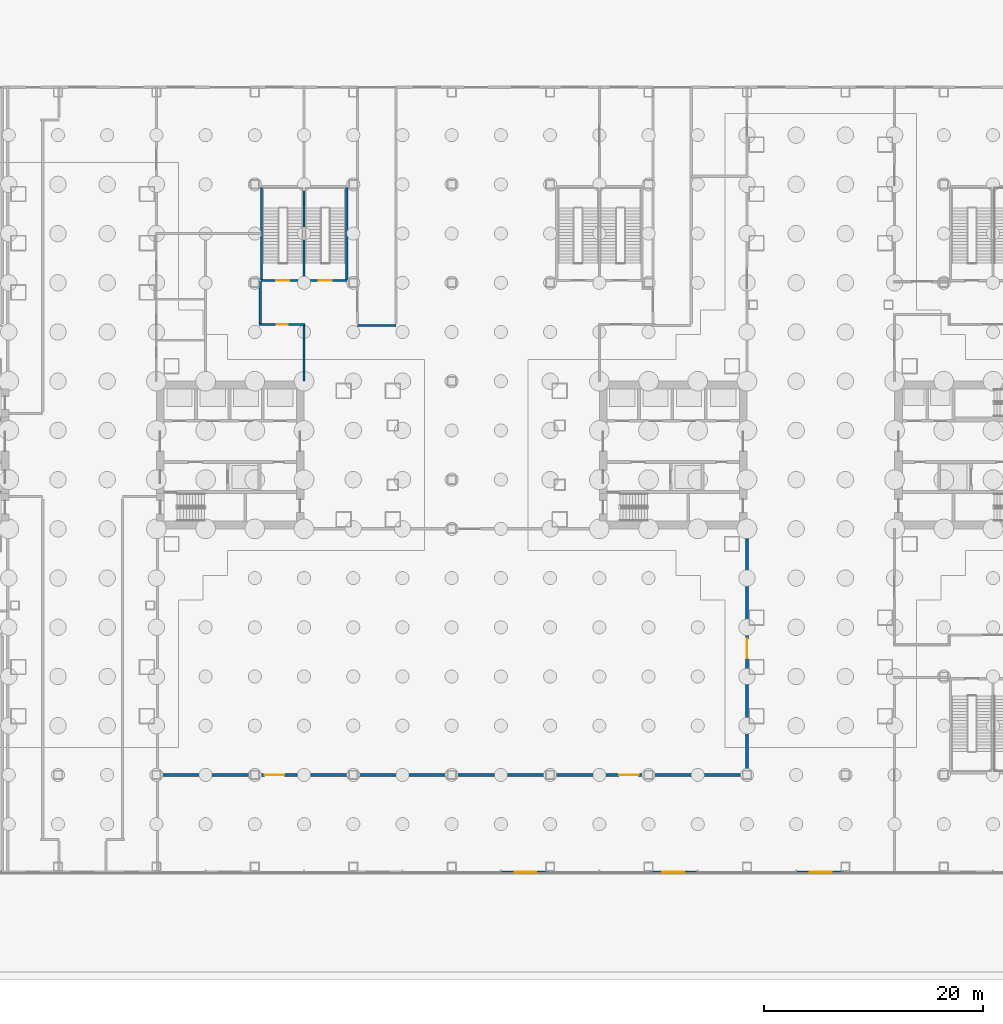
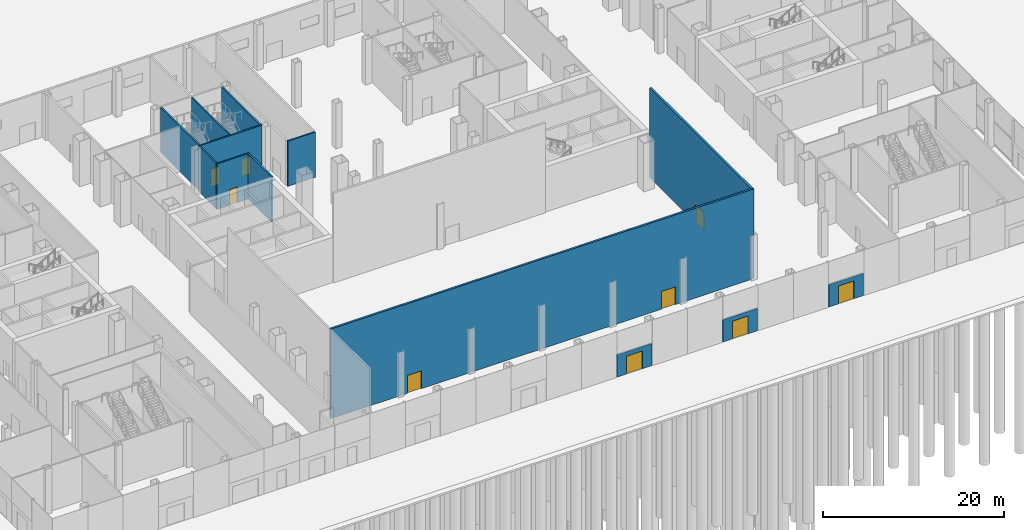
# One storey, part 20 of 37: 13 walls, 9 doors, 9 openings.
"""IFC4 building model written with IfcOpenShell, lengths in metres."""

import ifcopenshell
import ifcopenshell.guid

model = None  # the IFC model being written
_history = None  # IfcOwnerHistory: only IFC2X3 demands one
_inside = {}  # id of a spatial element -> (the spatial element, [elements in it])
_under = {}  # id of a project, library or spatial element -> (it, [spatial elements below it])
_declared = {}  # id of a project -> (the project, [libraries it declares])
_typed = {}  # id of a type object -> (the type object, [elements of that type])
_made_of = {}  # id of a material, layer set ... -> (it, [elements and type objects made of it])


def new_model(schema):
    """Start an empty IFC model of exactly this schema.

    Asked for "IFC4X3", IfcOpenShell would pick the latest addendum, in which some entities
    have other attributes; the version numbers below select the first issue.
    IFC2X3 requires an IfcOwnerHistory on every rooted entity: one is made here for all.
    """
    global model, _history
    if schema == "IFC4X3":
        model = ifcopenshell.file(schema_version=(4, 3, 0, 0))
    else:
        model = ifcopenshell.file(schema=schema)
    _inside.clear()
    _under.clear()
    _declared.clear()
    _typed.clear()
    _made_of.clear()
    _history = None
    if model.schema == "IFC2X3":
        org = make("IfcOrganization", Name="unknown")
        user = make(
            "IfcPersonAndOrganization",
            ThePerson=make("IfcPerson", FamilyName="unknown"),
            TheOrganization=org,
        )
        app = make(
            "IfcApplication",
            ApplicationDeveloper=org,
            Version="unknown",
            ApplicationFullName="unknown",
            ApplicationIdentifier="unknown",
        )
        _history = make(
            "IfcOwnerHistory",
            OwningUser=user,
            OwningApplication=app,
            ChangeAction="ADDED",
            CreationDate=0,
        )
    return model


def make(cls, **values):
    """One entity of the class cls with the attributes given. An attribute that is None is left unset."""
    return model.create_entity(
        cls, **{name: value for name, value in values.items() if value is not None}
    )


def rooted(cls, **values):
    """An entity with a GlobalId (a new one), such as an element, a storey or a relation."""
    return make(cls, GlobalId=ifcopenshell.guid.new(), OwnerHistory=_history, **values)


def si_unit(unit_type, name, prefix=None):
    """IfcSIUnit, for example si_unit("LENGTHUNIT", "METRE", prefix="MILLI")."""
    return make("IfcSIUnit", UnitType=unit_type, Prefix=prefix, Name=name)


def assignment(units):
    """IfcUnitAssignment: the units of a project."""
    return None if units is None else make("IfcUnitAssignment", Units=units)


def point(xyz):
    """IfcCartesianPoint."""
    return None if xyz is None else make("IfcCartesianPoint", Coordinates=xyz)


def direction(xyz):
    """IfcDirection."""
    return None if xyz is None else make("IfcDirection", DirectionRatios=xyz)


def frame(location, z_axis=None, x_axis=None):
    """IfcAxis2Placement3D, a coordinate frame: its origin and axes. An axis left out is left unset."""
    return make(
        "IfcAxis2Placement3D",
        Location=point(location),
        Axis=direction(z_axis),
        RefDirection=direction(x_axis),
    )


def frame_2d(location, x_axis=None):
    """IfcAxis2Placement2D, a coordinate frame in the plane: its origin and x axis."""
    return make(
        "IfcAxis2Placement2D", Location=point(location), RefDirection=direction(x_axis)
    )


def origin():
    """The frame at (0, 0, 0) with its axes left unset."""
    return frame((0.0, 0.0, 0.0))


def place(relative_to, where):
    """IfcLocalPlacement: puts the frame where relative to a parent placement (None: the world)."""
    return make(
        "IfcLocalPlacement", PlacementRelTo=relative_to, RelativePlacement=where
    )


def context(
    kind, dimensions, precision=None, world=None, true_north=None, identifier=None
):
    """IfcGeometricRepresentationContext, for example the 3D "Model" context."""
    return make(
        "IfcGeometricRepresentationContext",
        ContextIdentifier=identifier,
        ContextType=kind,
        CoordinateSpaceDimension=dimensions,
        Precision=precision,
        WorldCoordinateSystem=world,
        TrueNorth=true_north,
    )


def subcontext(parent, identifier, kind, view, scale=None):
    """IfcGeometricRepresentationSubContext, for example "Body" below "Model"."""
    return make(
        "IfcGeometricRepresentationSubContext",
        ContextIdentifier=identifier,
        ContextType=kind,
        ParentContext=parent,
        TargetScale=scale,
        TargetView=view,
    )


def project(units=None, contexts=None):
    """IfcProject with its units and contexts."""
    return rooted(
        "IfcProject",
        Name="project",
        RepresentationContexts=contexts,
        UnitsInContext=assignment(units),
    )


def spatial(cls, under=None, at=None, **own):
    """A site, building, storey or space (cls), placed at a placement, below another one or the project."""
    s = rooted(cls, ObjectPlacement=at, **own)
    if under is not None:
        _under.setdefault(under.id(), (under, []))[1].append(s)
    return s


def profile(cls, at=None, kind="AREA", **sizes):
    """A parametric profile (cls). Its sizes go by their IFC names, for example OverallWidth=200.0."""
    return make(cls, ProfileType=kind, Position=at, **sizes)


def rectangle(**sizes):
    """IfcRectangleProfileDef."""
    return profile("IfcRectangleProfileDef", **sizes)


def extrude(swept, where, along, depth):
    """IfcExtrudedAreaSolid: the profile swept, set in the frame where, extruded along a direction by depth."""
    return make(
        "IfcExtrudedAreaSolid",
        SweptArea=swept,
        Position=where,
        ExtrudedDirection=direction(along),
        Depth=depth,
    )


def shape(context_of_items, identifier, shape_type, items):
    """IfcShapeRepresentation: the items that make up one representation, for example the "Body"."""
    return make(
        "IfcShapeRepresentation",
        ContextOfItems=context_of_items,
        RepresentationIdentifier=identifier,
        RepresentationType=shape_type,
        Items=items,
    )


def material(Name=None, Category=None):
    """IfcMaterial."""
    return make("IfcMaterial", Name=Name, Category=Category)


def layer(
    of_material, thickness, ventilated=None, Name=None, Category=None, Priority=None
):
    """IfcMaterialLayer: one layer of a wall or slab, of a material (None: an air gap)."""
    return make(
        "IfcMaterialLayer",
        Material=of_material,
        LayerThickness=thickness,
        IsVentilated=ventilated,
        Name=Name,
        Category=Category,
        Priority=Priority,
    )


def layer_set(layers, Name=None):
    """IfcMaterialLayerSet."""
    return make("IfcMaterialLayerSet", MaterialLayers=layers, LayerSetName=Name)


def made_of(thing, what):
    """Note that an element or type object is made of a material, layer set ...; save() writes the relation."""
    if what is not None:
        _made_of.setdefault(what.id(), (what, []))[1].append(thing)
    return thing


def type_object(cls, material=None, **own):
    """A type object (cls), such as IfcWallType, which elements share."""
    return made_of(rooted(cls, **own), material)


def element(
    cls,
    number,
    at=None,
    inside=None,
    cuts=None,
    type_object=None,
    material=None,
    context=None,
    identifier="Body",
    shape_type=None,
    held_by="IfcProductDefinitionShape",
    body=None,
    shapes=None,
    **own,
):
    """One element of the class cls, such as IfcWall. Its Tag is "e" and its number.

    at: its placement. inside: the storey or other place that contains it. cuts: it is an
    opening in that element (IfcRelVoidsElement). A single representation is given by context,
    identifier, shape_type and body (its items); several are given by shapes. held_by: the class
    of the entity that holds the representations. save() writes the other relations.
    """
    e = rooted(cls, Tag="e%d" % number, ObjectPlacement=at, **own)
    if body is not None:
        shapes = [shape(context, identifier, shape_type, body)]
    if shapes is not None:
        e.Representation = make(held_by, Representations=shapes)
    if inside is not None:
        _inside.setdefault(inside.id(), (inside, []))[1].append(e)
    if cuts is not None:
        rooted(
            "IfcRelVoidsElement", RelatingBuildingElement=cuts, RelatedOpeningElement=e
        )
    if type_object is not None:
        _typed.setdefault(type_object.id(), (type_object, []))[1].append(e)
    return made_of(e, material)


def fill(opening, filler):
    """IfcRelFillsElement: the door or window that sits in an opening."""
    return rooted(
        "IfcRelFillsElement",
        RelatingOpeningElement=opening,
        RelatedBuildingElement=filler,
    )


def aggregate(whole, parts):
    """IfcRelAggregates: a whole, such as a stair, and the parts it consists of."""
    return rooted("IfcRelAggregates", RelatingObject=whole, RelatedObjects=parts)


def save(model, path):
    """Write the relations noted so far, then the file.

    IfcRelAggregates (storeys below a building ...), IfcRelContainedInSpatialStructure (elements
    in a storey), IfcRelDefinesByType, IfcRelAssociatesMaterial and IfcRelDeclares: one each for
    every whole, place, type object, material and project.
    """
    for whole, parts in _under.values():
        aggregate(whole, parts)
    for where, things in _inside.values():
        rooted(
            "IfcRelContainedInSpatialStructure",
            RelatedElements=things,
            RelatingStructure=where,
        )
    for kind, things in _typed.values():
        rooted("IfcRelDefinesByType", RelatedObjects=things, RelatingType=kind)
    for what, things in _made_of.values():
        rooted("IfcRelAssociatesMaterial", RelatedObjects=things, RelatingMaterial=what)
    for by, libraries in _declared.values():
        rooted("IfcRelDeclares", RelatingContext=by, RelatedDefinitions=libraries)
    model.write(path)


model = new_model("IFC4")

# Units and contexts
model_context = context("Model", 3, precision=1e-05, world=origin(), true_north=direction((0.0, 1.0)))
body_context = subcontext(model_context, "Body", "Model", "MODEL_VIEW")
ifc_project = project(units=[si_unit("LENGTHUNIT", "METRE"), si_unit("AREAUNIT", "SQUARE_METRE"), si_unit("VOLUMEUNIT", "CUBIC_METRE"), si_unit("PLANEANGLEUNIT", "RADIAN"), si_unit("MASSUNIT", "GRAM", prefix="KILO")], contexts=[model_context])

# Site, building, storey
site_placement = place(None, origin())
site = spatial("IfcSite", under=ifc_project, at=site_placement, CompositionType="ELEMENT")
building_placement = place(site_placement, origin())
building = spatial("IfcBuilding", under=site, at=building_placement, Name="Shamsa Quay Exchange Towers", CompositionType="ELEMENT")
storey_placement = place(building_placement, origin())
storey = spatial("IfcBuildingStorey", under=building, at=storey_placement, Name="L00", CompositionType="ELEMENT", Elevation=0.0)

# Wall, opening, door
ifc_material_1 = material(Name="Aluminium EN AW-6063 T6, black anodised, with black enamelled glass infill", Category="aluminium")
ifc_layer_1 = layer(ifc_material_1, 0.199951171875)
ifc_layer_set_1 = layer_set([ifc_layer_1], Name="ENTRANCE DOOR BAY WALL 200")
wall_type_1 = type_object("IfcWallType", Name="ENTRANCE DOOR BAY WALL 200", PredefinedType="SOLIDWALL", material=ifc_layer_set_1)
wall_1_placement = place(storey_placement, frame((35.9599609375, -38.14990234375, 0.0), z_axis=(0.0, 0.0, 1.0), x_axis=(-1.0, 0.0, 0.0)))
wall_1 = element("IfcWall", 1, at=wall_1_placement, inside=storey, type_object=wall_type_1, Name="Entrance bay Entrance 4", PredefinedType="SOLIDWALL", context=body_context, shape_type="SweptSolid", body=[
    extrude(rectangle(XDim=4.419921875, YDim=0.199951171875, at=frame_2d((2.2099609375, 0.0))), origin(), (0.0, 0.0, 1.0), 3.0),
])
opening_1_placement = place(wall_1_placement, frame((1.2099609375, 0.0, 0.0)))
opening_1 = element("IfcOpeningElement", 2, at=opening_1_placement, cuts=wall_1, Name="Opening XD026", PredefinedType="OPENING", context=body_context, shape_type="SweptSolid", body=[
    extrude(rectangle(XDim=2.0, YDim=2.39990234375, at=frame_2d((1.0, 1.199951171875))), frame((0.0, 0.10986328125, 0.0), z_axis=(0.0, -1.0, 0.0), x_axis=(1.0, 0.0, 0.0)), (0.0, 0.0, 1.0), 0.219970703125),
])
ifc_material_2 = material(Name="Aluminium EN AW-6063 T6, black anodised, with laminated glass leaves", Category="aluminium")
door_type_1 = type_object("IfcDoorType", Name="ENTRANCE DOOR 2000x2400", OperationType="DOUBLE_DOOR_SINGLE_SWING", PredefinedType="DOOR", material=ifc_material_2)
door_1_placement = place(opening_1_placement, origin())
door_1 = element("IfcDoor", 3, at=door_1_placement, inside=storey, type_object=door_type_1, Name="Entrance door Entrance 4", OperationType="DOUBLE_DOOR_SINGLE_SWING", OverallHeight=2.39990234375, OverallWidth=2.0, PredefinedType="DOOR", context=body_context, shape_type="SweptSolid", body=[
    extrude(rectangle(XDim=2.0, YDim=2.39990234375, at=frame_2d((1.0, 1.199951171875))), frame((0.0, 0.02490234375, 0.0), z_axis=(0.0, -1.0, 0.0), x_axis=(1.0, 0.0, 0.0)), (0.0, 0.0, 1.0), 0.050048828125),
])
fill(opening_1, door_1)

wall_2_placement = place(storey_placement, frame((8.9599609375, -38.14990234375, 0.0), z_axis=(0.0, 0.0, 1.0), x_axis=(-1.0, 0.0, 0.0)))
wall_2 = element("IfcWall", 4, at=wall_2_placement, inside=storey, type_object=wall_type_1, Name="Entrance bay Entrance 7", PredefinedType="SOLIDWALL", context=body_context, shape_type="SweptSolid", body=[
    extrude(rectangle(XDim=4.419921875, YDim=0.199951171875, at=frame_2d((2.2099609375, 0.0))), origin(), (0.0, 0.0, 1.0), 3.0),
])
opening_2_placement = place(wall_2_placement, frame((1.2099609375, 0.0, 0.0)))
opening_2 = element("IfcOpeningElement", 5, at=opening_2_placement, cuts=wall_2, Name="Opening XD029", PredefinedType="OPENING", context=body_context, shape_type="SweptSolid", body=[
    extrude(rectangle(XDim=2.0, YDim=2.39990234375, at=frame_2d((1.0, 1.199951171875))), frame((0.0, 0.10986328125, 0.0), z_axis=(0.0, -1.0, 0.0), x_axis=(1.0, 0.0, 0.0)), (0.0, 0.0, 1.0), 0.219970703125),
])
door_2_placement = place(opening_2_placement, origin())
door_2 = element("IfcDoor", 6, at=door_2_placement, inside=storey, type_object=door_type_1, Name="Entrance door Entrance 7", OperationType="DOUBLE_DOOR_SINGLE_SWING", OverallHeight=2.39990234375, OverallWidth=2.0, PredefinedType="DOOR", context=body_context, shape_type="SweptSolid", body=[
    extrude(rectangle(XDim=2.0, YDim=2.39990234375, at=frame_2d((1.0, 1.199951171875))), frame((0.0, 0.02490234375, 0.0), z_axis=(0.0, -1.0, 0.0), x_axis=(1.0, 0.0, 0.0)), (0.0, 0.0, 1.0), 0.050048828125),
])
fill(opening_2, door_2)

wall_3_placement = place(storey_placement, frame((22.4599609375, -38.14990234375, 0.0), z_axis=(0.0, 0.0, 1.0), x_axis=(-1.0, 0.0, 0.0)))
wall_3 = element("IfcWall", 7, at=wall_3_placement, inside=storey, type_object=wall_type_1, Name="Entrance bay Entrance 8", PredefinedType="SOLIDWALL", context=body_context, shape_type="SweptSolid", body=[
    extrude(rectangle(XDim=4.419921875, YDim=0.199951171875, at=frame_2d((2.2099609375, 0.0))), origin(), (0.0, 0.0, 1.0), 3.0),
])
opening_3_placement = place(wall_3_placement, frame((1.2099609375, 0.0, 0.0)))
opening_3 = element("IfcOpeningElement", 8, at=opening_3_placement, cuts=wall_3, Name="Opening XD030", PredefinedType="OPENING", context=body_context, shape_type="SweptSolid", body=[
    extrude(rectangle(XDim=2.0, YDim=2.39990234375, at=frame_2d((1.0, 1.199951171875))), frame((0.0, 0.10986328125, 0.0), z_axis=(0.0, -1.0, 0.0), x_axis=(1.0, 0.0, 0.0)), (0.0, 0.0, 1.0), 0.219970703125),
])
door_3_placement = place(opening_3_placement, origin())
door_3 = element("IfcDoor", 9, at=door_3_placement, inside=storey, type_object=door_type_1, Name="Entrance door Entrance 8", OperationType="DOUBLE_DOOR_SINGLE_SWING", OverallHeight=2.39990234375, OverallWidth=2.0, PredefinedType="DOOR", context=body_context, shape_type="SweptSolid", body=[
    extrude(rectangle(XDim=2.0, YDim=2.39990234375, at=frame_2d((1.0, 1.199951171875))), frame((0.0, 0.02490234375, 0.0), z_axis=(0.0, -1.0, 0.0), x_axis=(1.0, 0.0, 0.0)), (0.0, 0.0, 1.0), 0.050048828125),
])
fill(opening_3, door_3)

# Walls
ifc_material_3 = material(Name="Gypsum board partition on metal studs")
ifc_layer_2 = layer(ifc_material_3, 0.199951171875)
ifc_layer_set_2 = layer_set([ifc_layer_2], Name="Partition 200 mm EI 120")
wall_type_2 = type_object("IfcWallType", Name="Partition 200 mm EI 120", PredefinedType="PARTITIONING", material=ifc_layer_set_2)
wall_4_placement = place(storey_placement, frame((-8.60009765625, 11.85009765625, 0.0)))
element("IfcWall", 10, at=wall_4_placement, inside=storey, type_object=wall_type_2, Name="Partition PD-L00-W27", PredefinedType="PARTITIONING", context=body_context, shape_type="SweptSolid", body=[
    extrude(rectangle(XDim=3.5, YDim=0.199951171875, at=frame_2d((1.75, 0.0))), origin(), (0.0, 0.0, 1.0), 6.10009765625),
])
ifc_layer_3 = layer(ifc_material_3, 0.199951171875)
ifc_layer_set_3 = layer_set([ifc_layer_3], Name="Partition 200 mm EI 90")
wall_type_3 = type_object("IfcWallType", Name="Partition 200 mm EI 90", PredefinedType="PARTITIONING", material=ifc_layer_set_3)
wall_5_placement = place(storey_placement, frame((-13.5, 6.75, 0.0), z_axis=(0.0, 0.0, 1.0), x_axis=(0.0, 1.0, 0.0)))
element("IfcWall", 11, at=wall_5_placement, inside=storey, type_object=wall_type_3, Name="Partition PD-L00-W52", PredefinedType="PARTITIONING", context=body_context, shape_type="SweptSolid", body=[
    extrude(rectangle(XDim=5.10009765625, YDim=0.199951171875, at=frame_2d((2.550048828125, 0.0))), origin(), (0.0, 0.0, 1.0), 6.10009765625),
])

# Wall, opening, door
wall_6_placement = place(storey_placement, frame((-13.39990234375, 11.9501953125, 0.0), z_axis=(0.0, 0.0, 1.0), x_axis=(-1.0, 0.0, 0.0)))
wall_6 = element("IfcWall", 12, at=wall_6_placement, inside=storey, type_object=wall_type_3, Name="Partition PD-L00-W53", PredefinedType="PARTITIONING", context=body_context, shape_type="SweptSolid", body=[
    extrude(rectangle(XDim=4.2001953125, YDim=0.199951171875, at=frame_2d((2.10009765625, 0.0))), origin(), (0.0, 0.0, 1.0), 6.10009765625),
])
opening_4_placement = place(wall_6_placement, frame((1.60009765625, 0.0, 0.0)))
opening_4 = element("IfcOpeningElement", 13, at=opening_4_placement, cuts=wall_6, Name="Opening PD-L00-D20", PredefinedType="OPENING", context=body_context, shape_type="SweptSolid", body=[
    extrude(rectangle(XDim=1.0, YDim=2.10009765625, at=frame_2d((0.5, 1.050048828125))), frame((0.0, 0.10986328125, 0.0), z_axis=(0.0, -1.0, 0.0), x_axis=(1.0, 0.0, 0.0)), (0.0, 0.0, 1.0), 0.219970703125),
])
ifc_material_4 = material(Name="Timber door leaf in a metal frame", Category="wood")
door_type_2 = type_object("IfcDoorType", Name="Door 1000x2100 FD60", OperationType="NOTDEFINED", PredefinedType="DOOR", material=ifc_material_4)
door_4_placement = place(opening_4_placement, origin())
door_4 = element("IfcDoor", 14, at=door_4_placement, inside=storey, type_object=door_type_2, Name="Door PD-L00-D20", OperationType="SINGLE_SWING_LEFT", OverallHeight=2.10009765625, OverallWidth=1.0, PredefinedType="DOOR", context=body_context, shape_type="SweptSolid", body=[
    extrude(rectangle(XDim=1.0, YDim=2.10009765625, at=frame_2d((0.5, 1.050048828125))), frame((0.0, 0.02490234375, 0.0), z_axis=(0.0, -1.0, 0.0), x_axis=(1.0, 0.0, 0.0)), (0.0, 0.0, 1.0), 0.050048828125),
])
fill(opening_4, door_4)

# Wall
wall_7_placement = place(storey_placement, frame((-17.5, 12.05029296875, 0.0), z_axis=(0.0, 0.0, 1.0), x_axis=(0.0, 1.0, 0.0)))
element("IfcWall", 15, at=wall_7_placement, inside=storey, type_object=wall_type_3, Name="Partition PD-L00-W54", PredefinedType="PARTITIONING", context=body_context, shape_type="SweptSolid", body=[
    extrude(rectangle(XDim=3.79931640625, YDim=0.199951171875, at=frame_2d((1.899658203125, 0.0))), origin(), (0.0, 0.0, 1.0), 6.10009765625),
])

# Wall, opening, door
ifc_layer_4 = layer(ifc_material_3, 0.25)
ifc_layer_set_4 = layer_set([ifc_layer_4], Name="Partition 250 mm EI 120")
wall_type_4 = type_object("IfcWallType", Name="Partition 250 mm EI 120", PredefinedType="PARTITIONING", material=ifc_layer_set_4)
wall_8_placement = place(storey_placement, frame((27.0, -6.75, 0.0), z_axis=(0.0, 0.0, 1.0), x_axis=(0.0, -1.0, 0.0)))
wall_8 = element("IfcWall", 16, at=wall_8_placement, inside=storey, type_object=wall_type_4, Name="Partition PD-L00-W44", PredefinedType="PARTITIONING", context=body_context, shape_type="SweptSolid", body=[
    extrude(rectangle(XDim=22.375, YDim=0.25, at=frame_2d((11.1875, 0.0))), origin(), (0.0, 0.0, 1.0), 12.10009765625),
])
opening_5_placement = place(wall_8_placement, frame((10.050048828125, 0.0, 0.0)))
opening_5 = element("IfcOpeningElement", 17, at=opening_5_placement, cuts=wall_8, Name="Opening PD-L00-D27", PredefinedType="OPENING", context=body_context, shape_type="SweptSolid", body=[
    extrude(rectangle(XDim=1.800048828125, YDim=2.39990234375, at=frame_2d((0.89990234375, 1.199951171875))), frame((0.0, 0.135009765625, 0.0), z_axis=(0.0, -1.0, 0.0), x_axis=(1.0, 0.0, 0.0)), (0.0, 0.0, 1.0), 0.27001953125),
])
door_type_3 = type_object("IfcDoorType", Name="Door 1800x2400 FD60 pair", OperationType="NOTDEFINED", PredefinedType="DOOR", material=ifc_material_4)
door_5_placement = place(opening_5_placement, origin())
door_5 = element("IfcDoor", 18, at=door_5_placement, inside=storey, type_object=door_type_3, Name="Door PD-L00-D27", OperationType="DOUBLE_DOOR_SINGLE_SWING", OverallHeight=2.39990234375, OverallWidth=1.800048828125, PredefinedType="DOOR", context=body_context, shape_type="SweptSolid", body=[
    extrude(rectangle(XDim=1.800048828125, YDim=2.39990234375, at=frame_2d((0.89990234375, 1.199951171875))), frame((0.0, 0.02490234375, 0.0), z_axis=(0.0, -1.0, 0.0), x_axis=(1.0, 0.0, 0.0)), (0.0, 0.0, 1.0), 0.050048828125),
])
fill(opening_5, door_5)

# Wall, openings, doors
wall_9_placement = place(storey_placement, frame((27.125, -29.25, 0.0), z_axis=(0.0, 0.0, 1.0), x_axis=(-1.0, 0.0, 0.0)))
wall_9 = element("IfcWall", 19, at=wall_9_placement, inside=storey, type_object=wall_type_4, Name="Partition PD-L00-W64", PredefinedType="PARTITIONING", context=body_context, shape_type="SweptSolid", body=[
    extrude(rectangle(XDim=54.02490234375, YDim=0.25, at=frame_2d((27.012451171875, 0.0))), origin(), (0.0, 0.0, 1.0), 12.10009765625),
])
opening_6_placement = place(wall_9_placement, frame((10.02490234375, 0.0, 0.0)))
opening_6 = element("IfcOpeningElement", 20, at=opening_6_placement, cuts=wall_9, Name="Opening PD-L00-D25", PredefinedType="OPENING", context=body_context, shape_type="SweptSolid", body=[
    extrude(rectangle(XDim=1.800048828125, YDim=2.39990234375, at=frame_2d((0.89990234375, 1.199951171875))), frame((0.0, 0.135009765625, 0.0), z_axis=(0.0, -1.0, 0.0), x_axis=(1.0, 0.0, 0.0)), (0.0, 0.0, 1.0), 0.27001953125),
])
opening_7_placement = place(wall_9_placement, frame((42.425048828125, 0.0, 0.0)))
opening_7 = element("IfcOpeningElement", 21, at=opening_7_placement, cuts=wall_9, Name="Opening PD-L00-D26", PredefinedType="OPENING", context=body_context, shape_type="SweptSolid", body=[
    extrude(rectangle(XDim=1.800048828125, YDim=2.39990234375, at=frame_2d((0.89990234375, 1.199951171875))), frame((0.0, 0.135009765625, 0.0), z_axis=(0.0, -1.0, 0.0), x_axis=(1.0, 0.0, 0.0)), (0.0, 0.0, 1.0), 0.27001953125),
])
door_6_placement = place(opening_6_placement, origin())
door_6 = element("IfcDoor", 22, at=door_6_placement, inside=storey, type_object=door_type_3, Name="Door PD-L00-D25", OperationType="DOUBLE_DOOR_SINGLE_SWING", OverallHeight=2.39990234375, OverallWidth=1.800048828125, PredefinedType="DOOR", context=body_context, shape_type="SweptSolid", body=[
    extrude(rectangle(XDim=1.800048828125, YDim=2.39990234375, at=frame_2d((0.89990234375, 1.199951171875))), frame((0.0, 0.02490234375, 0.0), z_axis=(0.0, -1.0, 0.0), x_axis=(1.0, 0.0, 0.0)), (0.0, 0.0, 1.0), 0.050048828125),
])
fill(opening_6, door_6)
door_7_placement = place(opening_7_placement, origin())
door_7 = element("IfcDoor", 23, at=door_7_placement, inside=storey, type_object=door_type_3, Name="Door PD-L00-D26", OperationType="DOUBLE_DOOR_SINGLE_SWING", OverallHeight=2.39990234375, OverallWidth=1.800048828125, PredefinedType="DOOR", context=body_context, shape_type="SweptSolid", body=[
    extrude(rectangle(XDim=1.800048828125, YDim=2.39990234375, at=frame_2d((0.89990234375, 1.199951171875))), frame((0.0, 0.02490234375, 0.0), z_axis=(0.0, -1.0, 0.0), x_axis=(1.0, 0.0, 0.0)), (0.0, 0.0, 1.0), 0.050048828125),
])
fill(opening_7, door_7)

ifc_material_5 = material(Name="Concrete C50/60", Category="concrete")
ifc_layer_5 = layer(ifc_material_5, 0.199951171875)
ifc_layer_set_5 = layer_set([ifc_layer_5], Name="STAIR ENCLOSURE WALL 200 C50/60")
wall_type_5 = type_object("IfcWallType", Name="STAIR ENCLOSURE WALL 200 C50/60", PredefinedType="SHEAR", material=ifc_layer_set_5)
wall_10_placement = place(storey_placement, frame((-17.5, 15.949951171875, 0.0)))
wall_10 = element("IfcWall", 24, at=wall_10_placement, inside=storey, type_object=wall_type_5, Name="Stair enclosure wall PS2 inward", PredefinedType="SHEAR", context=body_context, shape_type="SweptSolid", body=[
    extrude(rectangle(XDim=8.0, YDim=0.199951171875, at=frame_2d((4.0, 0.0))), origin(), (0.0, 0.0, 1.0), 6.10009765625),
])
opening_8_placement = place(wall_10_placement, frame((1.46240234375, 0.0, 0.0)))
opening_8 = element("IfcOpeningElement", 25, at=opening_8_placement, cuts=wall_10, Name="Opening PS2A-L00-SD01", PredefinedType="OPENING", context=body_context, shape_type="SweptSolid", body=[
    extrude(rectangle(XDim=1.199951171875, YDim=2.39990234375, at=frame_2d((0.60009765625, 1.199951171875))), frame((0.0, 0.10986328125, 0.0), z_axis=(0.0, -1.0, 0.0), x_axis=(1.0, 0.0, 0.0)), (0.0, 0.0, 1.0), 0.219970703125),
])
opening_9_placement = place(wall_10_placement, frame((5.33740234375, 0.0, 0.0)))
opening_9 = element("IfcOpeningElement", 26, at=opening_9_placement, cuts=wall_10, Name="Opening PS2B-L00-SD01", PredefinedType="OPENING", context=body_context, shape_type="SweptSolid", body=[
    extrude(rectangle(XDim=1.199951171875, YDim=2.39990234375, at=frame_2d((0.60009765625, 1.199951171875))), frame((0.0, 0.10986328125, 0.0), z_axis=(0.0, -1.0, 0.0), x_axis=(1.0, 0.0, 0.0)), (0.0, 0.0, 1.0), 0.219970703125),
])
ifc_material_6 = material(Name="Steel, fire rated", Category="steel")
door_type_4 = type_object("IfcDoorType", Name="PODIUM STAIR DOOR 1200", OperationType="SINGLE_SWING_LEFT", PredefinedType="DOOR", material=ifc_material_6)
door_8_placement = place(opening_8_placement, origin())
door_8 = element("IfcDoor", 27, at=door_8_placement, inside=storey, type_object=door_type_4, Name="PS2A-L00-SD01", OperationType="SINGLE_SWING_LEFT", OverallHeight=2.39990234375, OverallWidth=1.199951171875, PredefinedType="DOOR", context=body_context, shape_type="SweptSolid", body=[
    extrude(rectangle(XDim=1.199951171875, YDim=2.39990234375, at=frame_2d((0.60009765625, 1.199951171875))), frame((0.0, 0.02490234375, 0.0), z_axis=(0.0, -1.0, 0.0), x_axis=(1.0, 0.0, 0.0)), (0.0, 0.0, 1.0), 0.050048828125),
])
fill(opening_8, door_8)
door_9_placement = place(opening_9_placement, origin())
door_9 = element("IfcDoor", 28, at=door_9_placement, inside=storey, type_object=door_type_4, Name="PS2B-L00-SD01", OperationType="SINGLE_SWING_RIGHT", OverallHeight=2.39990234375, OverallWidth=1.199951171875, PredefinedType="DOOR", context=body_context, shape_type="SweptSolid", body=[
    extrude(rectangle(XDim=1.199951171875, YDim=2.39990234375, at=frame_2d((0.60009765625, 1.199951171875))), frame((0.0, 0.02490234375, 0.0), z_axis=(0.0, -1.0, 0.0), x_axis=(1.0, 0.0, 0.0)), (0.0, 0.0, 1.0), 0.050048828125),
])
fill(opening_9, door_9)

# Walls
for number, where, z_axis, x_axis, name in (
    (29, (-17.39990234375, 16.050048828125, 0.0), (0.0, 0.0, 1.0), (0.0, 1.0, 0.0), "Stair enclosure wall PS2 west"),
    (30, (-9.60009765625, 16.050048828125, 0.0), (0.0, 0.0, 1.0), (0.0, 1.0, 0.0), "Stair enclosure wall PS2 east"),
):
    element("IfcWall", number, at=place(storey_placement, frame(where, z_axis=z_axis, x_axis=x_axis)), inside=storey, type_object=wall_type_5, Name=name, PredefinedType="SHEAR", context=body_context, shape_type="SweptSolid", body=[
        extrude(rectangle(XDim=8.39990234375, YDim=0.199951171875, at=frame_2d((4.199951171875, 0.0))), origin(), (0.0, 0.0, 1.0), 6.10009765625),
    ])
ifc_layer_6 = layer(ifc_material_5, 0.14990234375)
ifc_layer_set_6 = layer_set([ifc_layer_6], Name="STAIR PARTITION WALL 150 C50/60")
wall_type_6 = type_object("IfcWallType", Name="STAIR PARTITION WALL 150 C50/60", PredefinedType="SHEAR", material=ifc_layer_set_6)
wall_11_placement = place(storey_placement, frame((-13.5, 16.050048828125, 0.0), z_axis=(0.0, 0.0, 1.0), x_axis=(0.0, 1.0, 0.0)))
element("IfcWall", 31, at=wall_11_placement, inside=storey, type_object=wall_type_6, Name="Stair enclosure wall PS2 between the stairs", PredefinedType="SHEAR", context=body_context, shape_type="SweptSolid", body=[
    extrude(rectangle(XDim=8.39990234375, YDim=0.14990234375, at=frame_2d((4.199951171875, 0.0))), origin(), (0.0, 0.0, 1.0), 6.10009765625),
])

save(model, "model.ifc")
